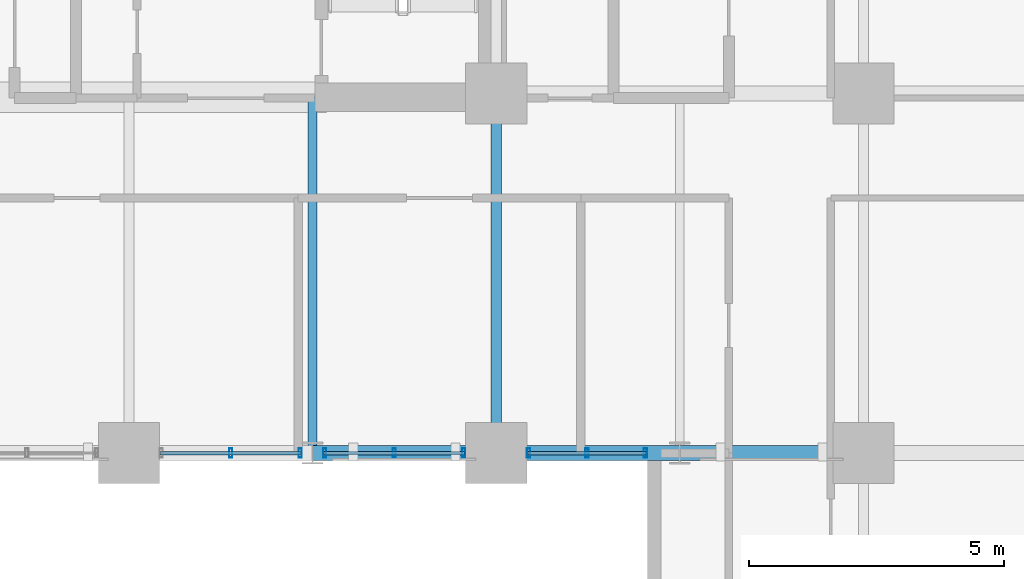
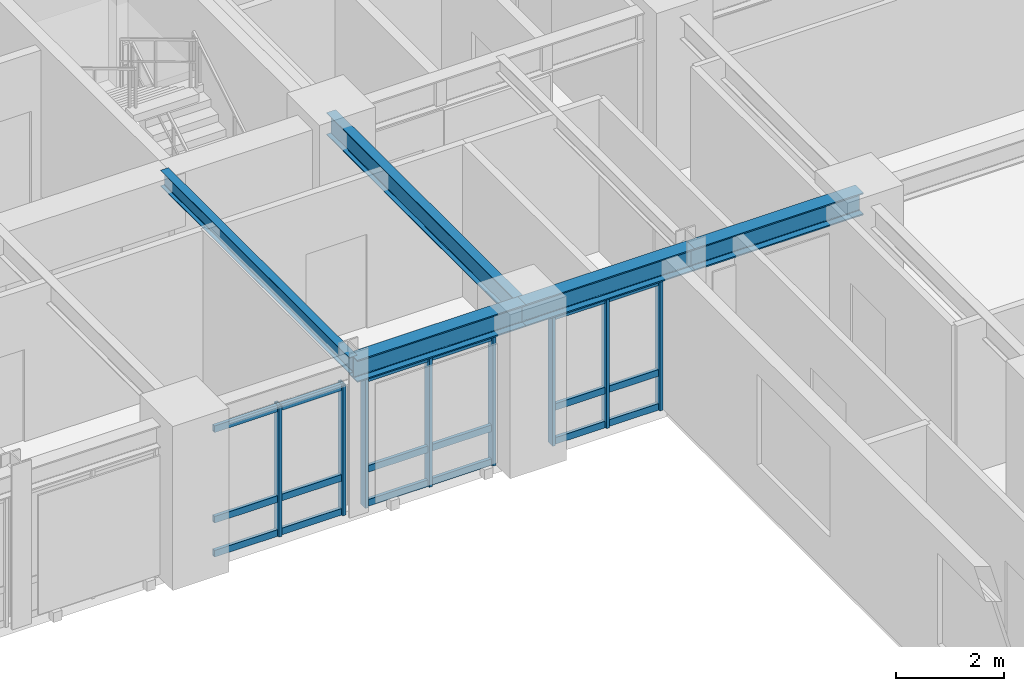
# One storey, part 5 of 16: 17 members, 5 beams, 3 elements without a shape of their own.
"""IFC4 building model written with IfcOpenShell, lengths in metres."""

from ifc_helpers import new_model, si_unit, direction, frame, origin, origin_2d, place, context, subcontext, project, spatial, hollow_rectangle, i_section, extrude, source, transform, mapped, material, layer, layer_set, material_profile, profile_set, type_object, element, aggregate, save


model = new_model("IFC4")

# Units and contexts
model_context = context("Model", 3, precision=1e-05, world=origin(), true_north=direction((0.0, 1.0)))
body_context = subcontext(model_context, "Body", "Model", "MODEL_VIEW")
ifc_project = project(units=[si_unit("LENGTHUNIT", "METRE"), si_unit("AREAUNIT", "SQUARE_METRE"), si_unit("VOLUMEUNIT", "CUBIC_METRE"), si_unit("PLANEANGLEUNIT", "RADIAN"), si_unit("MASSUNIT", "GRAM", prefix="KILO")], contexts=[model_context])

# Site, building, storey
site_placement = place(None, origin())
site = spatial("IfcSite", under=ifc_project, at=site_placement, CompositionType="ELEMENT")
building_placement = place(site_placement, origin())
building = spatial("IfcBuilding", under=site, at=building_placement, Name="Kaliganga Portal Commons", CompositionType="ELEMENT")
storey_placement = place(building_placement, frame((0.0, 0.0, 82.300048828125)))
storey = spatial("IfcBuildingStorey", under=building, at=storey_placement, Name="L20", CompositionType="ELEMENT", Elevation=82.300048828125)

# Beams
ifc_material_1 = material(Name="Structural steel S355J2", Category="steel")
ifc_material_profile_1 = material_profile(ifc_material_1, i_section(OverallWidth=0.300048828125, OverallDepth=0.5, WebThickness=0.014404296875, FlangeThickness=0.028076171875, FilletRadius=0.027099609375, at=origin_2d()), Name="HE 500 B")
ifc_profile_set_1 = profile_set([ifc_material_profile_1], Name="Structural steel S355J2 wide-flange")
beam_type_1 = type_object("IfcBeamType", Name="BM-SPAND-500", PredefinedType="SPANDREL", material=ifc_profile_set_1)
shared_shape_1 = source(origin(), body_context, "Body", "SweptSolid", [
    extrude(i_section(OverallWidth=0.300048828125, OverallDepth=0.5, WebThickness=0.014404296875, FlangeThickness=0.028076171875, FilletRadius=0.027099609375, at=origin_2d()), origin(), (0.0, 0.0, 1.0), 3.60009765625),
])
for number, where, z_axis, x_axis, name in (
    (1, (25.199951171875, 21.60009765625, 3.199951171875), (1.0, 0.0, 0.0), (0.0, 1.0, 0.0), "BM SP L20 AS 4"),
    (2, (32.39990234375, 21.60009765625, 3.199951171875), (1.0, 0.0, 0.0), (0.0, 1.0, 0.0), "BM SP L20 AS 6"),
):
    element("IfcBeam", number, at=place(storey_placement, frame(where, z_axis=z_axis, x_axis=x_axis)), inside=storey, type_object=beam_type_1, Name=name, PredefinedType="SPANDREL", context=body_context, shape_type="MappedRepresentation", body=[
        mapped(shared_shape_1, transform((0.0, 0.0, 0.0), x_axis=(1.0, 0.0, 0.0), y_axis=(0.0, 1.0, 0.0), z_axis=(0.0, 0.0, 1.0), scale=1.0)),
    ])
shared_shape_2 = source(origin(), body_context, "Body", "SweptSolid", [
    extrude(i_section(OverallWidth=0.300048828125, OverallDepth=0.5, WebThickness=0.014404296875, FlangeThickness=0.028076171875, FilletRadius=0.027099609375, at=origin_2d()), origin(), (0.0, 0.0, 1.0), 3.599853515625),
])
beam_1_placement = place(storey_placement, frame((28.800048828125, 21.60009765625, 3.199951171875), z_axis=(1.0, 0.0, 0.0), x_axis=(0.0, 1.0, 0.0)))
element("IfcBeam", 3, at=beam_1_placement, inside=storey, type_object=beam_type_1, Name="BM SP L20 AS 5", PredefinedType="SPANDREL", context=body_context, shape_type="MappedRepresentation", body=[
    mapped(shared_shape_2, transform((0.0, 0.0, 0.0), x_axis=(1.0, 0.0, 0.0), y_axis=(0.0, 1.0, 0.0), z_axis=(0.0, 0.0, 1.0), scale=1.0)),
])
ifc_material_profile_2 = material_profile(ifc_material_1, i_section(OverallWidth=0.169921875, OverallDepth=0.360107421875, WebThickness=0.008056640625, FlangeThickness=0.0126953125, FilletRadius=0.01806640625, at=origin_2d()), Name="IPE 360")
ifc_profile_set_2 = profile_set([ifc_material_profile_2], Name="Structural steel S355J2 wide-flange")
beam_type_2 = type_object("IfcBeamType", Name="BM-JST-360", PredefinedType="JOIST", material=ifc_profile_set_2)
shared_shape_3 = source(origin(), body_context, "Body", "SweptSolid", [
    extrude(i_section(OverallWidth=0.169921875, OverallDepth=0.360107421875, WebThickness=0.008056640625, FlangeThickness=0.0126953125, FilletRadius=0.01806640625, at=origin_2d()), origin(), (0.0, 0.0, 1.0), 6.974853515625),
])
beam_2_placement = place(storey_placement, frame((25.199951171875, 21.60009765625, 3.27001953125), z_axis=(0.0, 1.0, 0.0), x_axis=(-1.0, 0.0, 0.0)))
element("IfcBeam", 4, at=beam_2_placement, inside=storey, type_object=beam_type_2, Name="BM G L20 AS252", PredefinedType="JOIST", context=body_context, shape_type="MappedRepresentation", body=[
    mapped(shared_shape_3, transform((0.0, 0.0, 0.0), x_axis=(1.0, 0.0, 0.0), y_axis=(0.0, 1.0, 0.0), z_axis=(0.0, 0.0, 1.0), scale=1.0)),
])
ifc_material_profile_3 = material_profile(ifc_material_1, i_section(OverallWidth=0.199951171875, OverallDepth=0.5, WebThickness=0.01025390625, FlangeThickness=0.01611328125, FilletRadius=0.02099609375, at=origin_2d()), Name="IPE 500")
ifc_profile_set_3 = profile_set([ifc_material_profile_3], Name="Structural steel S355J2 wide-flange")
beam_type_3 = type_object("IfcBeamType", Name="BM-FLR-500", PredefinedType="BEAM", material=ifc_profile_set_3)
shared_shape_4 = source(origin(), body_context, "Body", "SweptSolid", [
    extrude(i_section(OverallWidth=0.199951171875, OverallDepth=0.5, WebThickness=0.01025390625, FlangeThickness=0.01611328125, FilletRadius=0.02099609375, at=origin_2d()), origin(), (0.0, 0.0, 1.0), 7.0498046875),
])
beam_3_placement = place(storey_placement, frame((28.800048828125, 21.60009765625, 3.199951171875), z_axis=(0.0, 1.0, 0.0), x_axis=(-1.0, 0.0, 0.0)))
element("IfcBeam", 5, at=beam_3_placement, inside=storey, type_object=beam_type_3, Name="BM G L20 AS288", PredefinedType="BEAM", context=body_context, shape_type="MappedRepresentation", body=[
    mapped(shared_shape_4, transform((0.0, 0.0, 0.0), x_axis=(1.0, 0.0, 0.0), y_axis=(0.0, 1.0, 0.0), z_axis=(0.0, 0.0, 1.0), scale=1.0)),
])

# Curtain wall, members
ifc_material_2 = material(Name="Anodized Aluminium and Laminated Low-E Glass", Category="aluminium")
ifc_layer = layer(ifc_material_2, 0.2099609375)
ifc_layer_set = layer_set([ifc_layer], Name="Anodized Aluminium and Laminated Low-E Glass")
curtain_wall_type = type_object("IfcCurtainWallType", Name="CW-SYS-03", PredefinedType="NOTDEFINED", material=ifc_layer_set)
curtain_wall_1_placement = place(storey_placement, origin())
curtain_wall_1 = element("IfcCurtainWall", 6, at=curtain_wall_1_placement, inside=storey, type_object=curtain_wall_type, Name="CW 03 L20 P1E04S4", PredefinedType="NOTDEFINED")
ifc_material_3 = material(Name="Dark Bronze Anodized Aluminium", Category="aluminium")
ifc_material_profile_4 = material_profile(ifc_material_3, hollow_rectangle(XDim=0.06494140625, YDim=0.179931640625, WallThickness=0.00390625, at=origin_2d()), Name="ALU MULL 65x180x4")
ifc_profile_set_4 = profile_set([ifc_material_profile_4], Name="Dark Bronze Anodized Aluminium")
member_type_1 = type_object("IfcMemberType", Name="CW-MUL-180", PredefinedType="MULLION", material=ifc_profile_set_4)
shared_shape_5 = source(origin(), body_context, "Body", "SweptSolid", [
    extrude(hollow_rectangle(XDim=0.06494140625, YDim=0.179931640625, WallThickness=0.00390625, at=origin_2d()), origin(), (0.0, 0.0, 1.0), 2.949951171875),
])
member_1_placement = place(storey_placement, frame((23.59765625, 21.60009765625, 0.0), z_axis=(0.0, 0.0, 1.0), x_axis=(1.0, 0.0, 0.0)))
member_1 = element("IfcMember", 7, at=member_1_placement, type_object=member_type_1, Name="CW:03:L20:P1E04S4 Mullion 01", PredefinedType="MULLION", context=body_context, shape_type="MappedRepresentation", body=[
    mapped(shared_shape_5, transform((0.0, 0.0, 0.0), x_axis=(1.0, 0.0, 0.0), y_axis=(0.0, 1.0, 0.0), z_axis=(0.0, 0.0, 1.0), scale=1.0)),
])
member_2_placement = place(storey_placement, frame((24.95947265625, 21.60009765625, 0.0), z_axis=(0.0, 0.0, 1.0), x_axis=(1.0, 0.0, 0.0)))
member_2 = element("IfcMember", 8, at=member_2_placement, type_object=member_type_1, Name="CW:03:L20:P1E04S4 Mullion 02", PredefinedType="MULLION", context=body_context, shape_type="MappedRepresentation", body=[
    mapped(shared_shape_5, transform((0.0, 0.0, 0.0), x_axis=(1.0, 0.0, 0.0), y_axis=(0.0, 1.0, 0.0), z_axis=(0.0, 0.0, 1.0), scale=1.0)),
])

curtain_wall_2_placement = place(storey_placement, origin())
curtain_wall_2 = element("IfcCurtainWall", 9, at=curtain_wall_2_placement, inside=storey, type_object=curtain_wall_type, Name="CW 03 L20 P1E04S5", PredefinedType="NOTDEFINED")
member_3_placement = place(storey_placement, frame((25.4404296875, 21.60009765625, 0.0), z_axis=(0.0, 0.0, 1.0), x_axis=(1.0, 0.0, 0.0)))
member_3 = element("IfcMember", 10, at=member_3_placement, type_object=member_type_1, Name="CW:03:L20:P1E04S5 Mullion 00", PredefinedType="MULLION", context=body_context, shape_type="MappedRepresentation", body=[
    mapped(shared_shape_5, transform((0.0, 0.0, 0.0), x_axis=(1.0, 0.0, 0.0), y_axis=(0.0, 1.0, 0.0), z_axis=(0.0, 0.0, 1.0), scale=1.0)),
])
member_4_placement = place(storey_placement, frame((26.80224609375, 21.60009765625, 0.0), z_axis=(0.0, 0.0, 1.0), x_axis=(1.0, 0.0, 0.0)))
member_4 = element("IfcMember", 11, at=member_4_placement, type_object=member_type_1, Name="CW:03:L20:P1E04S5 Mullion 01", PredefinedType="MULLION", context=body_context, shape_type="MappedRepresentation", body=[
    mapped(shared_shape_5, transform((0.0, 0.0, 0.0), x_axis=(1.0, 0.0, 0.0), y_axis=(0.0, 1.0, 0.0), z_axis=(0.0, 0.0, 1.0), scale=1.0)),
])
member_5_placement = place(storey_placement, frame((28.1640625, 21.60009765625, 0.0), z_axis=(0.0, 0.0, 1.0), x_axis=(1.0, 0.0, 0.0)))
member_5 = element("IfcMember", 12, at=member_5_placement, type_object=member_type_1, Name="CW:03:L20:P1E04S5 Mullion 02", PredefinedType="MULLION", context=body_context, shape_type="MappedRepresentation", body=[
    mapped(shared_shape_5, transform((0.0, 0.0, 0.0), x_axis=(1.0, 0.0, 0.0), y_axis=(0.0, 1.0, 0.0), z_axis=(0.0, 0.0, 1.0), scale=1.0)),
])

curtain_wall_3_placement = place(storey_placement, origin())
curtain_wall_3 = element("IfcCurtainWall", 13, at=curtain_wall_3_placement, inside=storey, type_object=curtain_wall_type, Name="CW 03 L20 P1E04S6", PredefinedType="NOTDEFINED")
member_6_placement = place(storey_placement, frame((29.43603515625, 21.60009765625, 0.0), z_axis=(0.0, 0.0, 1.0), x_axis=(1.0, 0.0, 0.0)))
member_6 = element("IfcMember", 14, at=member_6_placement, type_object=member_type_1, Name="CW:03:L20:P1E04S6 Mullion 00", PredefinedType="MULLION", context=body_context, shape_type="MappedRepresentation", body=[
    mapped(shared_shape_5, transform((0.0, 0.0, 0.0), x_axis=(1.0, 0.0, 0.0), y_axis=(0.0, 1.0, 0.0), z_axis=(0.0, 0.0, 1.0), scale=1.0)),
])
member_7_placement = place(storey_placement, frame((30.58056640625, 21.60009765625, 0.0), z_axis=(0.0, 0.0, 1.0), x_axis=(1.0, 0.0, 0.0)))
member_7 = element("IfcMember", 15, at=member_7_placement, type_object=member_type_1, Name="CW:03:L20:P1E04S6 Mullion 01", PredefinedType="MULLION", context=body_context, shape_type="MappedRepresentation", body=[
    mapped(shared_shape_5, transform((0.0, 0.0, 0.0), x_axis=(1.0, 0.0, 0.0), y_axis=(0.0, 1.0, 0.0), z_axis=(0.0, 0.0, 1.0), scale=1.0)),
])
member_8_placement = place(storey_placement, frame((31.72509765625, 21.60009765625, 0.0), z_axis=(0.0, 0.0, 1.0), x_axis=(1.0, 0.0, 0.0)))
member_8 = element("IfcMember", 16, at=member_8_placement, type_object=member_type_1, Name="CW:03:L20:P1E04S6 Mullion 02", PredefinedType="MULLION", context=body_context, shape_type="MappedRepresentation", body=[
    mapped(shared_shape_5, transform((0.0, 0.0, 0.0), x_axis=(1.0, 0.0, 0.0), y_axis=(0.0, 1.0, 0.0), z_axis=(0.0, 0.0, 1.0), scale=1.0)),
])

# Member
ifc_material_profile_5 = material_profile(ifc_material_3, hollow_rectangle(XDim=0.070068359375, YDim=0.14990234375, WallThickness=0.00341796875, at=origin_2d()), Name="ALU TRAN 70x150x3.5")
ifc_profile_set_5 = profile_set([ifc_material_profile_5], Name="Dark Bronze Anodized Aluminium")
member_type_2 = type_object("IfcMemberType", Name="CW-TRN-150", PredefinedType="USERDEFINED", material=ifc_profile_set_5)
shared_shape_6 = source(origin(), body_context, "Body", "SweptSolid", [
    extrude(hollow_rectangle(XDim=0.070068359375, YDim=0.14990234375, WallThickness=0.00341796875, at=origin_2d()), origin(), (0.0, 0.0, 1.0), 2.75341796875),
])
member_9_placement = place(storey_placement, frame((25.425537109375, 21.60009765625, 0.06005859375), z_axis=(1.0, 0.0, 0.0), x_axis=(0.0, 1.0, 0.0)))
member_9 = element("IfcMember", 17, at=member_9_placement, type_object=member_type_2, Name="CW:03:L20:P1E04S5 Transom 1", ObjectType="TRANSOM", PredefinedType="USERDEFINED", context=body_context, shape_type="MappedRepresentation", body=[
    mapped(shared_shape_6, transform((0.0, 0.0, 0.0), x_axis=(1.0, 0.0, 0.0), y_axis=(0.0, 1.0, 0.0), z_axis=(0.0, 0.0, 1.0), scale=1.0)),
])

member_10_placement = place(storey_placement, frame((25.425537109375, 21.60009765625, 0.825927734375), z_axis=(1.0, 0.0, 0.0), x_axis=(0.0, 1.0, 0.0)))
member_10 = element("IfcMember", 18, at=member_10_placement, type_object=member_type_2, Name="CW:03:L20:P1E04S5 Transom 2", ObjectType="TRANSOM", PredefinedType="USERDEFINED", context=body_context, shape_type="MappedRepresentation", body=[
    mapped(shared_shape_6, transform((0.0, 0.0, 0.0), x_axis=(1.0, 0.0, 0.0), y_axis=(0.0, 1.0, 0.0), z_axis=(0.0, 0.0, 1.0), scale=1.0)),
])

member_11_placement = place(storey_placement, frame((25.425537109375, 21.60009765625, 2.869873046875), z_axis=(1.0, 0.0, 0.0), x_axis=(0.0, 1.0, 0.0)))
member_11 = element("IfcMember", 19, at=member_11_placement, type_object=member_type_2, Name="CW:03:L20:P1E04S5 Transom 3", ObjectType="TRANSOM", PredefinedType="USERDEFINED", context=body_context, shape_type="MappedRepresentation", body=[
    mapped(shared_shape_6, transform((0.0, 0.0, 0.0), x_axis=(1.0, 0.0, 0.0), y_axis=(0.0, 1.0, 0.0), z_axis=(0.0, 0.0, 1.0), scale=1.0)),
])

aggregate(curtain_wall_2, [member_3, member_4, member_5, member_9, member_10, member_11])

shared_shape_7 = source(origin(), body_context, "Body", "SweptSolid", [
    extrude(hollow_rectangle(XDim=0.070068359375, YDim=0.14990234375, WallThickness=0.00341796875, at=origin_2d()), origin(), (0.0, 0.0, 1.0), 2.753662109375),
])
member_12_placement = place(storey_placement, frame((22.220947265625, 21.60009765625, 0.06005859375), z_axis=(1.0, 0.0, 0.0), x_axis=(0.0, 1.0, 0.0)))
member_12 = element("IfcMember", 20, at=member_12_placement, type_object=member_type_2, Name="CW:03:L20:P1E04S4 Transom 1", ObjectType="TRANSOM", PredefinedType="USERDEFINED", context=body_context, shape_type="MappedRepresentation", body=[
    mapped(shared_shape_7, transform((0.0, 0.0, 0.0), x_axis=(1.0, 0.0, 0.0), y_axis=(0.0, 1.0, 0.0), z_axis=(0.0, 0.0, 1.0), scale=1.0)),
])

member_13_placement = place(storey_placement, frame((22.220947265625, 21.60009765625, 0.825927734375), z_axis=(1.0, 0.0, 0.0), x_axis=(0.0, 1.0, 0.0)))
member_13 = element("IfcMember", 21, at=member_13_placement, type_object=member_type_2, Name="CW:03:L20:P1E04S4 Transom 2", ObjectType="TRANSOM", PredefinedType="USERDEFINED", context=body_context, shape_type="MappedRepresentation", body=[
    mapped(shared_shape_7, transform((0.0, 0.0, 0.0), x_axis=(1.0, 0.0, 0.0), y_axis=(0.0, 1.0, 0.0), z_axis=(0.0, 0.0, 1.0), scale=1.0)),
])

member_14_placement = place(storey_placement, frame((22.220947265625, 21.60009765625, 2.869873046875), z_axis=(1.0, 0.0, 0.0), x_axis=(0.0, 1.0, 0.0)))
member_14 = element("IfcMember", 22, at=member_14_placement, type_object=member_type_2, Name="CW:03:L20:P1E04S4 Transom 3", ObjectType="TRANSOM", PredefinedType="USERDEFINED", context=body_context, shape_type="MappedRepresentation", body=[
    mapped(shared_shape_7, transform((0.0, 0.0, 0.0), x_axis=(1.0, 0.0, 0.0), y_axis=(0.0, 1.0, 0.0), z_axis=(0.0, 0.0, 1.0), scale=1.0)),
])

aggregate(curtain_wall_1, [member_1, member_2, member_12, member_13, member_14])

shared_shape_8 = source(origin(), body_context, "Body", "SweptSolid", [
    extrude(hollow_rectangle(XDim=0.070068359375, YDim=0.14990234375, WallThickness=0.00341796875, at=origin_2d()), origin(), (0.0, 0.0, 1.0), 2.319091796875),
])
member_15_placement = place(storey_placement, frame((29.4208984375, 21.60009765625, 0.06005859375), z_axis=(1.0, 0.0, 0.0), x_axis=(0.0, 1.0, 0.0)))
member_15 = element("IfcMember", 23, at=member_15_placement, type_object=member_type_2, Name="CW:03:L20:P1E04S6 Transom 1", ObjectType="TRANSOM", PredefinedType="USERDEFINED", context=body_context, shape_type="MappedRepresentation", body=[
    mapped(shared_shape_8, transform((0.0, 0.0, 0.0), x_axis=(1.0, 0.0, 0.0), y_axis=(0.0, 1.0, 0.0), z_axis=(0.0, 0.0, 1.0), scale=1.0)),
])

member_16_placement = place(storey_placement, frame((29.4208984375, 21.60009765625, 0.825927734375), z_axis=(1.0, 0.0, 0.0), x_axis=(0.0, 1.0, 0.0)))
member_16 = element("IfcMember", 24, at=member_16_placement, type_object=member_type_2, Name="CW:03:L20:P1E04S6 Transom 2", ObjectType="TRANSOM", PredefinedType="USERDEFINED", context=body_context, shape_type="MappedRepresentation", body=[
    mapped(shared_shape_8, transform((0.0, 0.0, 0.0), x_axis=(1.0, 0.0, 0.0), y_axis=(0.0, 1.0, 0.0), z_axis=(0.0, 0.0, 1.0), scale=1.0)),
])

member_17_placement = place(storey_placement, frame((29.4208984375, 21.60009765625, 2.869873046875), z_axis=(1.0, 0.0, 0.0), x_axis=(0.0, 1.0, 0.0)))
member_17 = element("IfcMember", 25, at=member_17_placement, type_object=member_type_2, Name="CW:03:L20:P1E04S6 Transom 3", ObjectType="TRANSOM", PredefinedType="USERDEFINED", context=body_context, shape_type="MappedRepresentation", body=[
    mapped(shared_shape_8, transform((0.0, 0.0, 0.0), x_axis=(1.0, 0.0, 0.0), y_axis=(0.0, 1.0, 0.0), z_axis=(0.0, 0.0, 1.0), scale=1.0)),
])

aggregate(curtain_wall_3, [member_6, member_7, member_8, member_15, member_16, member_17])

save(model, "model.ifc")
